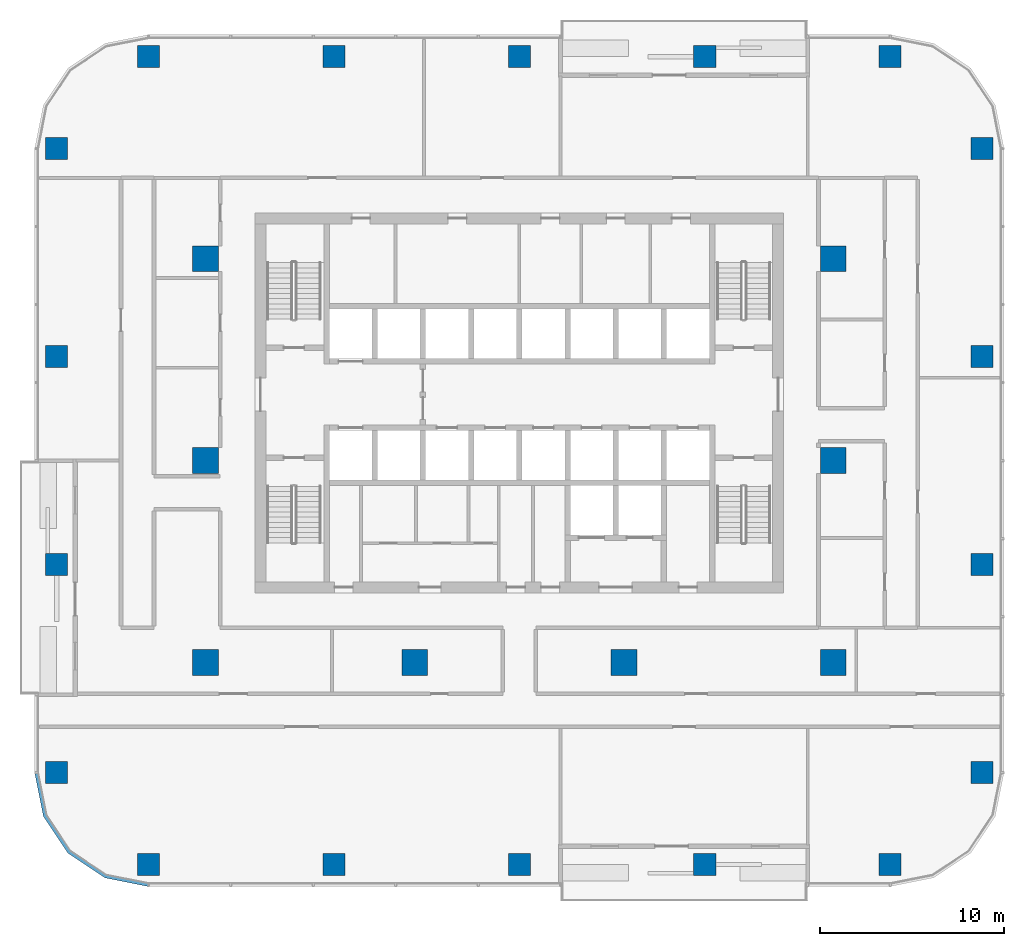
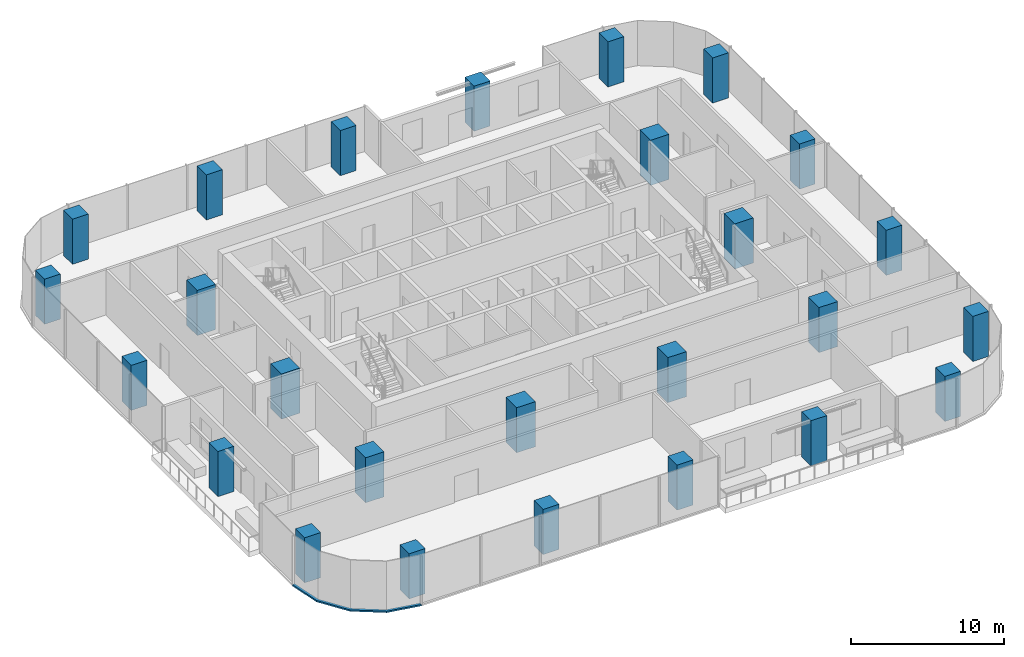
# One storey, part 1 of 14: 26 columns, 1 member, 1 element without a shape of its own.
"""IFC4 building model written with IfcOpenShell, lengths in metres."""

from ifc_helpers import new_model, si_unit, direction, frame, origin, origin_2d, place, context, subcontext, project, spatial, polyline, rectangle, outline, extrude, material, material_profile, profile_set, type_object, element, aggregate, save


model = new_model("IFC4")

# Units and contexts
model_context = context("Model", 3, precision=1e-05, world=origin(), true_north=direction((0.0, 1.0)))
body_context = subcontext(model_context, "Body", "Model", "MODEL_VIEW")
ifc_project = project(units=[si_unit("LENGTHUNIT", "METRE"), si_unit("AREAUNIT", "SQUARE_METRE"), si_unit("VOLUMEUNIT", "CUBIC_METRE"), si_unit("PLANEANGLEUNIT", "RADIAN"), si_unit("MASSUNIT", "GRAM", prefix="KILO")], contexts=[model_context])

# Site, building, storey
site_placement = place(None, origin())
site = spatial("IfcSite", under=ifc_project, at=site_placement, CompositionType="ELEMENT")
building_placement = place(site_placement, origin())
building = spatial("IfcBuilding", under=site, at=building_placement, Name="Mopane Tessera Tower", CompositionType="ELEMENT")
storey_placement = place(building_placement, frame((0.0, 0.0, 189.0)))
storey = spatial("IfcBuildingStorey", under=building, at=storey_placement, Name="L39", CompositionType="ELEMENT", Elevation=189.0)

# Columns
ifc_material_1 = material(Name="Concrete C50/60", Category="concrete")
ifc_material_profile_1 = material_profile(ifc_material_1, rectangle(XDim=1.39990234375, YDim=1.39990234375, at=origin_2d()))
ifc_profile_set_1 = profile_set([ifc_material_profile_1], Name="Concrete C50/60")
column_type_1 = type_object("IfcColumnType", Name="Interior column 1400 x 1400 C50/60", PredefinedType="COLUMN", material=ifc_profile_set_1)
for number, where, z_axis, x_axis, name in (
    (1, (-17.10009765625, -11.0, 0.0), (0.0, 0.0, 1.0), (1.0, 0.0, 0.0), "Interior column I1A L39"),
    (2, (-17.10009765625, 0.0, 0.0), (0.0, 0.0, 1.0), (1.0, 0.0, 0.0), "Interior column I1B L39"),
    (3, (-17.10009765625, 11.0, 0.0), (0.0, 0.0, 1.0), (1.0, 0.0, 0.0), "Interior column I1C L39"),
    (4, (-5.699951171875, -11.0, 0.0), (0.0, 0.0, 1.0), (1.0, 0.0, 0.0), "Interior column I2A L39"),
    (5, (5.699951171875, -11.0, 0.0), (0.0, 0.0, 1.0), (1.0, 0.0, 0.0), "Interior column I3A L39"),
    (6, (17.10009765625, -11.0, 0.0), (0.0, 0.0, 1.0), (1.0, 0.0, 0.0), "Interior column I4A L39"),
    (7, (17.10009765625, 0.0, 0.0), (0.0, 0.0, 1.0), (1.0, 0.0, 0.0), "Interior column I4B L39"),
    (8, (17.10009765625, 11.0, 0.0), (0.0, 0.0, 1.0), (1.0, 0.0, 0.0), "Interior column I4C L39"),
):
    element("IfcColumn", number, at=place(storey_placement, frame(where, z_axis=z_axis, x_axis=x_axis)), inside=storey, type_object=column_type_1, Name=name, PredefinedType="COLUMN", context=body_context, shape_type="SweptSolid", body=[
        extrude(rectangle(XDim=1.39990234375, YDim=1.39990234375, at=origin_2d()), origin(), (0.0, 0.0, 1.0), 3.60009765625),
    ])
ifc_material_2 = material(Name="Concrete C50/60", Category="concrete")
ifc_material_profile_2 = material_profile(ifc_material_2, rectangle(XDim=1.199951171875, YDim=1.199951171875, at=origin_2d()))
ifc_profile_set_2 = profile_set([ifc_material_profile_2], Name="Concrete C50/60")
column_type_2 = type_object("IfcColumnType", Name="Ring column 1200 x 1200 C50/60", PredefinedType="COLUMN", material=ifc_profile_set_2)
for number, where, z_axis, x_axis, name in (
    (9, (-20.199951171875, -22.0, 0.0), (0.0, 0.0, 1.0), (1.0, 0.0, 0.0), "Ring column S0 L39"),
    (10, (-10.10009765625, -22.0, 0.0), (0.0, 0.0, 1.0), (1.0, 0.0, 0.0), "Ring column S1 L39"),
    (11, (0.0, -22.0, 0.0), (0.0, 0.0, 1.0), (1.0, 0.0, 0.0), "Ring column S2 L39"),
    (12, (10.10009765625, -22.0, 0.0), (0.0, 0.0, 1.0), (1.0, 0.0, 0.0), "Ring column S3 L39"),
    (13, (20.199951171875, -22.0, 0.0), (0.0, 0.0, 1.0), (1.0, 0.0, 0.0), "Ring column S4 L39"),
    (14, (25.199951171875, -17.0, 0.0), (0.0, 0.0, 1.0), (1.0, 0.0, 0.0), "Ring column E0 L39"),
    (15, (25.199951171875, -5.666748046875, 0.0), (0.0, 0.0, 1.0), (1.0, 0.0, 0.0), "Ring column E1 L39"),
    (16, (25.199951171875, 5.666748046875, 0.0), (0.0, 0.0, 1.0), (1.0, 0.0, 0.0), "Ring column E2 L39"),
    (17, (25.199951171875, 17.0, 0.0), (0.0, 0.0, 1.0), (1.0, 0.0, 0.0), "Ring column E3 L39"),
    (18, (20.199951171875, 22.0, 0.0), (0.0, 0.0, 1.0), (1.0, 0.0, 0.0), "Ring column N0 L39"),
    (19, (10.10009765625, 22.0, 0.0), (0.0, 0.0, 1.0), (1.0, 0.0, 0.0), "Ring column N1 L39"),
    (20, (0.0, 22.0, 0.0), (0.0, 0.0, 1.0), (1.0, 0.0, 0.0), "Ring column N2 L39"),
    (21, (-10.10009765625, 22.0, 0.0), (0.0, 0.0, 1.0), (1.0, 0.0, 0.0), "Ring column N3 L39"),
    (22, (-20.199951171875, 22.0, 0.0), (0.0, 0.0, 1.0), (1.0, 0.0, 0.0), "Ring column N4 L39"),
    (23, (-25.199951171875, 17.0, 0.0), (0.0, 0.0, 1.0), (1.0, 0.0, 0.0), "Ring column W0 L39"),
    (24, (-25.199951171875, 5.666748046875, 0.0), (0.0, 0.0, 1.0), (1.0, 0.0, 0.0), "Ring column W1 L39"),
    (25, (-25.199951171875, -5.666748046875, 0.0), (0.0, 0.0, 1.0), (1.0, 0.0, 0.0), "Ring column W2 L39"),
    (26, (-25.199951171875, -17.0, 0.0), (0.0, 0.0, 1.0), (1.0, 0.0, 0.0), "Ring column W3 L39"),
):
    element("IfcColumn", number, at=place(storey_placement, frame(where, z_axis=z_axis, x_axis=x_axis)), inside=storey, type_object=column_type_2, Name=name, PredefinedType="COLUMN", context=body_context, shape_type="SweptSolid", body=[
        extrude(rectangle(XDim=1.199951171875, YDim=1.199951171875, at=origin_2d()), origin(), (0.0, 0.0, 1.0), 3.60009765625),
    ])

# Curtain wall, member
ifc_material_3 = material(Name="Aluminium frame", Category="aluminium")
curtain_wall_type = type_object("IfcCurtainWallType", Name="Unitised curtain wall", PredefinedType="NOTDEFINED", material=ifc_material_3)
curtain_wall_placement = place(storey_placement, origin())
curtain_wall = element("IfcCurtainWall", 27, at=curtain_wall_placement, inside=storey, type_object=curtain_wall_type, Name="e:cw:L39:CW", PredefinedType="NOTDEFINED")
ifc_material_4 = material(Name="Aluminium frame", Category="aluminium")
ifc_material_profile_3 = material_profile(ifc_material_4, rectangle(XDim=0.199951171875, YDim=0.1201171875, at=origin_2d()))
ifc_profile_set_3 = profile_set([ifc_material_profile_3], Name="Aluminium frame")
member_type = type_object("IfcMemberType", Name="Aluminium transom 200 x 120", PredefinedType="USERDEFINED", material=ifc_profile_set_3)
member_placement = place(storey_placement, frame((0.0, 0.0, -0.39990234375)))
member = element("IfcMember", 28, at=member_placement, type_object=member_type, Name="e:cw:L39:CW:tr", ObjectType="TRANSOM", PredefinedType="USERDEFINED", context=body_context, shape_type="SweptSolid", body=[
    extrude(outline(polyline([(-26.199951171875, -17.0), (-25.7431640625, -19.296142578125), (-24.442626953125, -21.24267578125), (-22.49609375, -22.543212890625), (-20.199951171875, -23.0), (-20.199951171875, -23.199951171875), (-22.57275390625, -22.72802734375), (-24.583984375, -21.384033203125), (-25.927978515625, -19.37255859375), (-26.39990234375, -17.0), (-26.199951171875, -17.0)])), origin(), (0.0, 0.0, 1.0), 0.119873046875),
])
aggregate(curtain_wall, [member])

save(model, "model.ifc")
